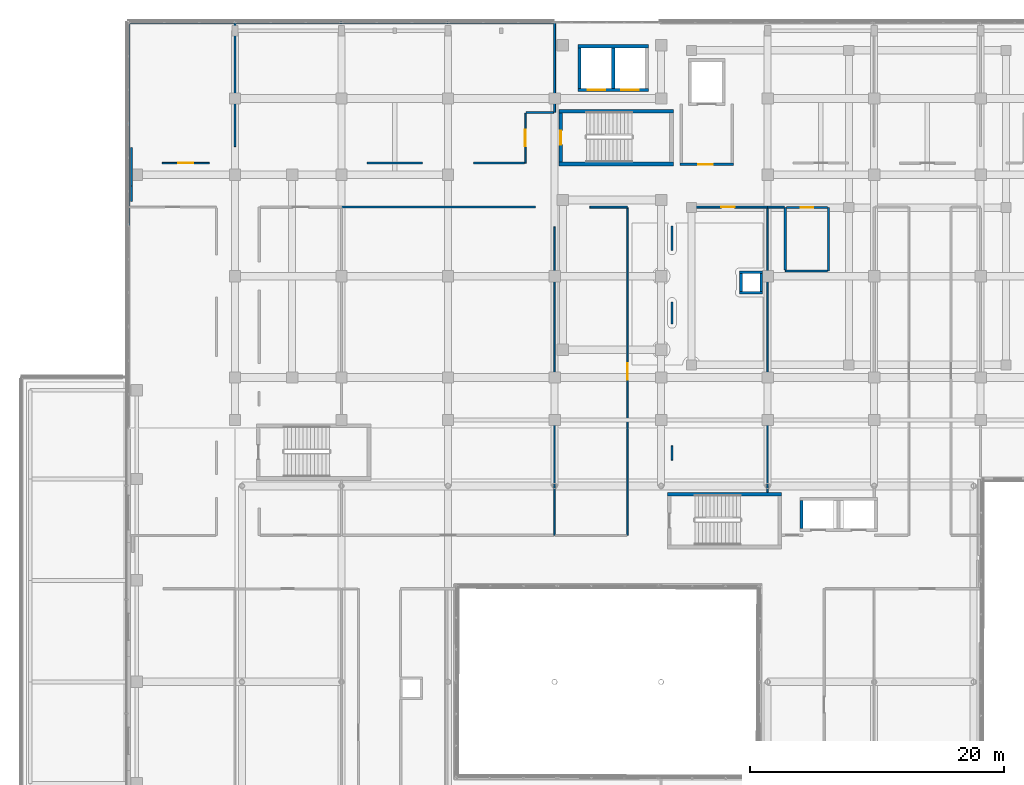
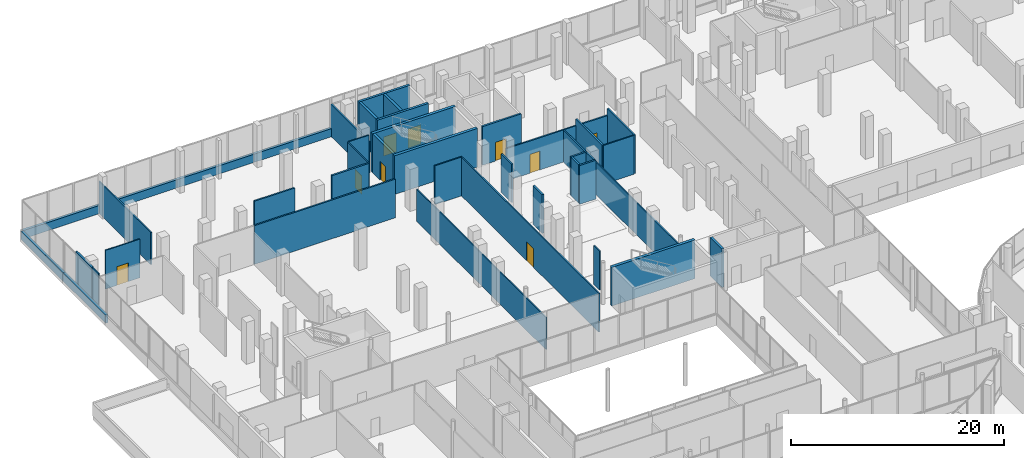
# One storey, part 145 of 168: 43 walls, 9 doors, 9 openings.
"""IFC4 building model written with IfcOpenShell, lengths in metres."""

from ifc_helpers import new_model, si_unit, direction, frame, frame_2d, origin, place, context, subcontext, project, spatial, rectangle, extrude, material, layer, layer_set, type_object, element, fill, save


model = new_model("IFC4")

# Units and contexts
model_context = context("Model", 3, precision=1e-05, world=origin(), true_north=direction((0.0, 1.0)))
body_context = subcontext(model_context, "Body", "Model", "MODEL_VIEW")
ifc_project = project(units=[si_unit("LENGTHUNIT", "METRE"), si_unit("AREAUNIT", "SQUARE_METRE"), si_unit("VOLUMEUNIT", "CUBIC_METRE"), si_unit("PLANEANGLEUNIT", "RADIAN"), si_unit("MASSUNIT", "GRAM", prefix="KILO")], contexts=[model_context])

# Site, building, storey
site_placement = place(None, origin())
site = spatial("IfcSite", under=ifc_project, at=site_placement, CompositionType="ELEMENT")
building_placement = place(site_placement, origin())
building = spatial("IfcBuilding", under=site, at=building_placement, Name="Selatvlak General Hospital", CompositionType="ELEMENT")
storey_placement = place(building_placement, frame((0.0, 0.0, 5.39990234375)))
storey = spatial("IfcBuildingStorey", under=building, at=storey_placement, Name="L01", CompositionType="ELEMENT", Elevation=5.39990234375)

# Walls
ifc_material_1 = material(Name="Precast concrete C40/50 - white Bauhaus spandrel", Category="concrete")
ifc_layer_1 = layer(ifc_material_1, 0.280029296875, Name="Precast concrete C40/50 - white Bauhaus spandrel", Category="concrete")
ifc_layer_set_1 = layer_set([ifc_layer_1], Name="Precast concrete C40/50 - white Bauhaus spandrel")
wall_type_1 = type_object("IfcWallType", Name="WALL-EW-02", PredefinedType="SOLIDWALL", material=ifc_layer_set_1)
wall_1_placement = place(storey_placement, frame((14.39990234375, 104.0009765625, 0.0), z_axis=(0.0, 0.0, 1.0), x_axis=(0.0, 1.0, 0.0)))
element("IfcWall", 1, at=wall_1_placement, inside=storey, type_object=wall_type_1, Name="L01 Bauhaus spandrel sill wall 0204", PredefinedType="SOLIDWALL", context=body_context, shape_type="SweptSolid", body=[
    extrude(rectangle(XDim=7.99609375, YDim=0.280029296875, at=frame_2d((3.998046875, 0.0))), origin(), (0.0, 0.0, 1.0), 0.940185546875),
])
wall_2_placement = place(storey_placement, frame((14.39990234375, 112.0009765625, 0.0), z_axis=(0.0, 0.0, 1.0), x_axis=(0.0, 1.0, 0.0)))
element("IfcWall", 2, at=wall_2_placement, inside=storey, type_object=wall_type_1, Name="L01 Bauhaus spandrel sill wall 0205", PredefinedType="SOLIDWALL", context=body_context, shape_type="SweptSolid", body=[
    extrude(rectangle(XDim=7.85791015625, YDim=0.280029296875, at=frame_2d((3.928955078125, 0.0))), origin(), (0.0, 0.0, 1.0), 0.940185546875),
])
wall_3_placement = place(storey_placement, frame((14.5400390625, 119.9990234375, 0.0), z_axis=(0.0, 0.0, 1.0), x_axis=(1.0, 0.0, 0.0)))
element("IfcWall", 3, at=wall_3_placement, inside=storey, type_object=wall_type_1, Name="L01 Bauhaus spandrel sill wall 0206", PredefinedType="SOLIDWALL", context=body_context, shape_type="SweptSolid", body=[
    extrude(rectangle(XDim=8.238037109375, YDim=0.280029296875, at=frame_2d((4.119140625, 0.0))), origin(), (0.0, 0.0, 1.0), 0.940185546875),
])
for number, where, z_axis, x_axis, name in (
    (4, (22.781982421875, 119.9990234375, 0.0), (0.0, 0.0, 1.0), (1.0, 0.0, 0.0), "L01 Bauhaus spandrel sill wall 0207"),
    (5, (31.162109375, 119.9990234375, 0.0), (0.0, 0.0, 1.0), (1.0, 0.0, 0.0), "L01 Bauhaus spandrel sill wall 0208"),
    (6, (39.5419921875, 119.9990234375, 0.0), (0.0, 0.0, 1.0), (1.0, 0.0, 0.0), "L01 Bauhaus spandrel sill wall 0209"),
):
    element("IfcWall", number, at=place(storey_placement, frame(where, z_axis=z_axis, x_axis=x_axis)), inside=storey, type_object=wall_type_1, Name=name, PredefinedType="SOLIDWALL", context=body_context, shape_type="SweptSolid", body=[
        extrude(rectangle(XDim=8.3759765625, YDim=0.280029296875, at=frame_2d((4.18798828125, 0.0))), origin(), (0.0, 0.0, 1.0), 0.940185546875),
    ])

# Wall, opening, door
ifc_material_2 = material(Name="Concrete C40/50", Category="concrete")
ifc_layer_2 = layer(ifc_material_2, 0.199951171875, Name="Concrete C40/50", Category="concrete")
ifc_layer_set_2 = layer_set([ifc_layer_2], Name="Concrete C40/50")
wall_type_2 = type_object("IfcWallType", Name="WALL-IW-02", PredefinedType="SOLIDWALL", material=ifc_layer_set_2)
wall_4_placement = place(storey_placement, frame((57.89990234375, 108.800048828125, 0.0), z_axis=(0.0, 0.0, 1.0), x_axis=(1.0, 0.0, 0.0)))
wall_4 = element("IfcWall", 7, at=wall_4_placement, inside=storey, type_object=wall_type_2, Name="Firefighting lobby C1 wall L01 S", PredefinedType="SOLIDWALL", context=body_context, shape_type="SweptSolid", body=[
    extrude(rectangle(XDim=4.2001953125, YDim=0.199951171875, at=frame_2d((2.10009765625, 0.0))), origin(), (0.0, 0.0, 1.0), 4.445068359375),
])
opening_1_placement = place(wall_4_placement, frame((1.425048828125, 0.0, 0.0)))
opening_1 = element("IfcOpeningElement", 8, at=opening_1_placement, cuts=wall_4, Name="Opening D-06", PredefinedType="OPENING", context=body_context, shape_type="SweptSolid", body=[
    extrude(rectangle(XDim=1.14990234375, YDim=2.14990234375, at=frame_2d((0.574951171875, 1.074951171875))), frame((0.0, 0.10986328125, 0.0), z_axis=(0.0, -1.0, 0.0), x_axis=(1.0, 0.0, 0.0)), (0.0, 0.0, 1.0), 0.219970703125),
])
ifc_material_3 = material(Name="Firefighting lobby fire door")
door_type_1 = type_object("IfcDoorType", Name="DOOR-D-06", OperationType="NOTDEFINED", PredefinedType="DOOR", material=ifc_material_3)
door_1_placement = place(opening_1_placement, origin())
door_1 = element("IfcDoor", 9, at=door_1_placement, inside=storey, type_object=door_type_1, Name="Firefighting lobby C1 door on L01", OperationType="SINGLE_SWING_RIGHT", OverallHeight=2.14990234375, OverallWidth=1.14990234375, PredefinedType="DOOR", context=body_context, shape_type="SweptSolid", body=[
    extrude(rectangle(XDim=1.14990234375, YDim=2.14990234375, at=frame_2d((0.574951171875, 1.074951171875))), frame((0.0, 0.02490234375, 0.0), z_axis=(0.0, -1.0, 0.0), x_axis=(1.0, 0.0, 0.0)), (0.0, 0.0, 1.0), 0.050048828125),
])
fill(opening_1, door_1)

# Walls
wall_5_placement = place(storey_placement, frame((62.60009765625, 98.699951171875, 0.0), z_axis=(0.0, 0.0, 1.0), x_axis=(1.0, 0.0, 0.0)))
element("IfcWall", 10, at=wall_5_placement, inside=storey, type_object=wall_type_2, Name="Service riser 1 shaft wall L01 S", PredefinedType="SOLIDWALL", context=body_context, shape_type="SweptSolid", body=[
    extrude(rectangle(XDim=1.7998046875, YDim=0.199951171875, at=frame_2d((0.89990234375, 0.0))), origin(), (0.0, 0.0, 1.0), 4.445068359375),
])
wall_6_placement = place(storey_placement, frame((64.300048828125, 98.800048828125, 0.0), z_axis=(0.0, 0.0, 1.0), x_axis=(0.0, 1.0, 0.0)))
element("IfcWall", 11, at=wall_6_placement, inside=storey, type_object=wall_type_2, Name="Service riser 1 shaft wall L01 E", PredefinedType="SOLIDWALL", context=body_context, shape_type="SweptSolid", body=[
    extrude(rectangle(XDim=1.39990234375, YDim=0.199951171875, at=frame_2d((0.699951171875, 0.0))), origin(), (0.0, 0.0, 1.0), 4.445068359375),
])
wall_7_placement = place(storey_placement, frame((64.39990234375, 100.300048828125, 0.0), z_axis=(0.0, 0.0, 1.0), x_axis=(-1.0, 0.0, 0.0)))
element("IfcWall", 12, at=wall_7_placement, inside=storey, type_object=wall_type_2, Name="Service riser 1 shaft wall L01 N", PredefinedType="SOLIDWALL", context=body_context, shape_type="SweptSolid", body=[
    extrude(rectangle(XDim=1.7998046875, YDim=0.199951171875, at=frame_2d((0.89990234375, 0.0))), origin(), (0.0, 0.0, 1.0), 4.445068359375),
])
wall_8_placement = place(storey_placement, frame((62.699951171875, 100.199951171875, 0.0), z_axis=(0.0, 0.0, 1.0), x_axis=(0.0, -1.0, 0.0)))
element("IfcWall", 13, at=wall_8_placement, inside=storey, type_object=wall_type_2, Name="Service riser 1 shaft wall L01 W", PredefinedType="SOLIDWALL", context=body_context, shape_type="SweptSolid", body=[
    extrude(rectangle(XDim=1.39990234375, YDim=0.199951171875, at=frame_2d((0.699951171875, 0.0))), origin(), (0.0, 0.0, 1.0), 4.445068359375),
])
ifc_material_4 = material(Name="Acoustic gypsum stud partition")
ifc_layer_3 = layer(ifc_material_4, 0.179931640625, Name="Acoustic gypsum stud partition")
ifc_layer_set_3 = layer_set([ifc_layer_3], Name="Acoustic gypsum stud partition")
wall_type_3 = type_object("IfcWallType", Name="WALL-PT-01", PredefinedType="PARTITIONING", material=ifc_layer_set_3)
wall_9_placement = place(storey_placement, frame((66.199951171875, 100.464111328125, 0.0), z_axis=(0.0, 0.0, 1.0), x_axis=(0.0, 1.0, 0.0)))
element("IfcWall", 14, at=wall_9_placement, inside=storey, type_object=wall_type_3, Name="L01 clinical partition PT-L01-0696", PredefinedType="PARTITIONING", context=body_context, shape_type="SweptSolid", body=[
    extrude(rectangle(XDim=4.955810546875, YDim=0.179931640625, at=frame_2d((2.47802734375, 0.0))), origin(), (0.0, 0.0, 1.0), 4.445068359375),
])
wall_10_placement = place(storey_placement, frame((57.260009765625, 96.235107421875, 0.0), z_axis=(0.0, 0.0, 1.0), x_axis=(0.0, 1.0, 0.0)))
element("IfcWall", 15, at=wall_10_placement, inside=storey, type_object=wall_type_3, Name="L01 clinical partition PT-L01-0935", PredefinedType="PARTITIONING", context=body_context, shape_type="SweptSolid", body=[
    extrude(rectangle(XDim=1.72998046875, YDim=0.179931640625, at=frame_2d((0.864990234375, 0.0))), origin(), (0.0, 0.0, 1.0), 4.445068359375),
])
wall_11_placement = place(storey_placement, frame((14.639892578125, 110.118896484375, 0.0), z_axis=(0.0, 0.0, 1.0), x_axis=(0.0, -1.0, 0.0)))
element("IfcWall", 16, at=wall_11_placement, inside=storey, type_object=wall_type_3, Name="L01 clinical partition PT-L01-0995", PredefinedType="PARTITIONING", context=body_context, shape_type="SweptSolid", body=[
    extrude(rectangle(XDim=3.018798828125, YDim=0.179931640625, at=frame_2d((1.50927734375, 0.0))), origin(), (0.0, 0.0, 1.0), 4.445068359375),
])
wall_12_placement = place(storey_placement, frame((45.634033203125, 108.909912109375, 0.0), z_axis=(0.0, 0.0, 1.0), x_axis=(-1.0, 0.0, 0.0)))
element("IfcWall", 17, at=wall_12_placement, inside=storey, type_object=wall_type_3, Name="L01 clinical partition PT-L01-1000", PredefinedType="PARTITIONING", context=body_context, shape_type="SweptSolid", body=[
    extrude(rectangle(XDim=4.02294921875, YDim=0.179931640625, at=frame_2d((2.011474609375, 0.0))), origin(), (0.0, 0.0, 1.0), 4.445068359375),
])
ifc_layer_4 = layer(ifc_material_4, 0.1650390625, Name="Acoustic gypsum stud partition")
ifc_layer_set_4 = layer_set([ifc_layer_4], Name="Acoustic gypsum stud partition")
wall_type_4 = type_object("IfcWallType", Name="WALL-PT-02", PredefinedType="PARTITIONING", material=ifc_layer_set_4)
wall_13_placement = place(storey_placement, frame((69.60009765625, 105.419921875, 0.0), z_axis=(0.0, 0.0, 1.0), x_axis=(0.0, -1.0, 0.0)))
element("IfcWall", 18, at=wall_13_placement, inside=storey, type_object=wall_type_4, Name="L01 clinical partition PT-L01-0694", PredefinedType="PARTITIONING", context=body_context, shape_type="SweptSolid", body=[
    extrude(rectangle(XDim=5.02001953125, YDim=0.1650390625, at=frame_2d((2.510009765625, 0.0))), origin(), (0.0, 0.0, 1.0), 4.445068359375),
])

# Wall, opening, door
wall_14_placement = place(storey_placement, frame((66.285888671875, 105.419921875, 0.0), z_axis=(0.0, 0.0, 1.0), x_axis=(1.0, 0.0, 0.0)))
wall_14 = element("IfcWall", 19, at=wall_14_placement, inside=storey, type_object=wall_type_4, Name="L01 clinical partition PT-L01-0697", PredefinedType="PARTITIONING", context=body_context, shape_type="SweptSolid", body=[
    extrude(rectangle(XDim=3.235107421875, YDim=0.1650390625, at=frame_2d((1.61767578125, 0.0))), origin(), (0.0, 0.0, 1.0), 3.695068359375),
])
opening_2_placement = place(wall_14_placement, frame((1.116943359375, 0.0, 0.0)))
opening_2 = element("IfcOpeningElement", 20, at=opening_2_placement, cuts=wall_14, Name="Opening D-03", PredefinedType="OPENING", context=body_context, shape_type="SweptSolid", body=[
    extrude(rectangle(XDim=1.0, YDim=2.10009765625, at=frame_2d((0.5, 1.050048828125))), frame((0.0, 0.092529296875, 0.0), z_axis=(0.0, -1.0, 0.0), x_axis=(1.0, 0.0, 0.0)), (0.0, 0.0, 1.0), 0.18505859375),
])
ifc_material_5 = material(Name="Accessible WC door")
door_type_2 = type_object("IfcDoorType", Name="DOOR-D-03", OperationType="NOTDEFINED", PredefinedType="DOOR", material=ifc_material_5)
door_2_placement = place(opening_2_placement, origin())
door_2 = element("IfcDoor", 21, at=door_2_placement, inside=storey, type_object=door_type_2, Name="L01 Accessible WC door", OperationType="SINGLE_SWING_LEFT", OverallHeight=2.10009765625, OverallWidth=1.0, PredefinedType="DOOR", context=body_context, shape_type="SweptSolid", body=[
    extrude(rectangle(XDim=1.0, YDim=2.10009765625, at=frame_2d((0.5, 1.050048828125))), frame((0.0, 0.02490234375, 0.0), z_axis=(0.0, -1.0, 0.0), x_axis=(1.0, 0.0, 0.0)), (0.0, 0.0, 1.0), 0.050048828125),
])
fill(opening_2, door_2)

# Walls
wall_15_placement = place(storey_placement, frame((31.199951171875, 105.43994140625, 0.0), z_axis=(0.0, 0.0, 1.0), x_axis=(1.0, 0.0, 0.0)))
element("IfcWall", 22, at=wall_15_placement, inside=storey, type_object=wall_type_4, Name="L01 clinical partition PT-L01-0931", PredefinedType="PARTITIONING", context=body_context, shape_type="SweptSolid", body=[
    extrude(rectangle(XDim=15.31494140625, YDim=0.1650390625, at=frame_2d((7.657470703125, 0.0))), origin(), (0.0, 0.0, 1.0), 4.445068359375),
])
wall_16_placement = place(storey_placement, frame((57.260009765625, 102.034912109375, 0.0), z_axis=(0.0, 0.0, 1.0), x_axis=(0.0, 1.0, 0.0)))
element("IfcWall", 23, at=wall_16_placement, inside=storey, type_object=wall_type_4, Name="L01 clinical partition PT-L01-0936", PredefinedType="PARTITIONING", context=body_context, shape_type="SweptSolid", body=[
    extrude(rectangle(XDim=1.93017578125, YDim=0.1650390625, at=frame_2d((0.965087890625, 0.0))), origin(), (0.0, 0.0, 1.0), 4.445068359375),
])
wall_17_placement = place(storey_placement, frame((37.589111328125, 108.909912109375, 0.0), z_axis=(0.0, 0.0, 1.0), x_axis=(-1.0, 0.0, 0.0)))
element("IfcWall", 24, at=wall_17_placement, inside=storey, type_object=wall_type_4, Name="L01 clinical partition PT-L01-1001", PredefinedType="PARTITIONING", context=body_context, shape_type="SweptSolid", body=[
    extrude(rectangle(XDim=4.378173828125, YDim=0.1650390625, at=frame_2d((2.18896484375, 0.0))), origin(), (0.0, 0.0, 1.0), 4.445068359375),
])
ifc_layer_5 = layer(ifc_material_4, 0.14990234375, Name="Acoustic gypsum stud partition")
ifc_layer_set_5 = layer_set([ifc_layer_5], Name="Acoustic gypsum stud partition")
wall_type_5 = type_object("IfcWallType", Name="WALL-PT-03", PredefinedType="PARTITIONING", material=ifc_layer_set_5)
wall_18_placement = place(storey_placement, frame((50.784912109375, 105.43994140625, 0.0), z_axis=(0.0, 0.0, 1.0), x_axis=(1.0, 0.0, 0.0)))
element("IfcWall", 25, at=wall_18_placement, inside=storey, type_object=wall_type_5, Name="L01 clinical partition PT-L01-0932", PredefinedType="PARTITIONING", context=body_context, shape_type="SweptSolid", body=[
    extrude(rectangle(XDim=2.955078125, YDim=0.14990234375, at=frame_2d((1.4775390625, 0.0))), origin(), (0.0, 0.0, 1.0), 4.445068359375),
])

# Wall, opening, door
wall_19_placement = place(storey_placement, frame((58.534912109375, 105.43994140625, 0.0), z_axis=(0.0, 0.0, 1.0), x_axis=(1.0, 0.0, 0.0)))
wall_19 = element("IfcWall", 26, at=wall_19_placement, inside=storey, type_object=wall_type_5, Name="L01 clinical partition PT-L01-0937", PredefinedType="PARTITIONING", context=body_context, shape_type="SweptSolid", body=[
    extrude(rectangle(XDim=6.26513671875, YDim=0.14990234375, at=frame_2d((3.132568359375, 0.0))), origin(), (0.0, 0.0, 1.0), 3.695068359375),
])
opening_3_placement = place(wall_19_placement, frame((2.60791015625, 0.0, 0.0)))
opening_3 = element("IfcOpeningElement", 27, at=opening_3_placement, cuts=wall_19, Name="Opening D-04", PredefinedType="OPENING", context=body_context, shape_type="SweptSolid", body=[
    extrude(rectangle(XDim=1.050048828125, YDim=2.14990234375, at=frame_2d((0.52490234375, 1.074951171875))), frame((0.0, 0.0849609375, 0.0), z_axis=(0.0, -1.0, 0.0), x_axis=(1.0, 0.0, 0.0)), (0.0, 0.0, 1.0), 0.169921875),
])
ifc_material_6 = material(Name="Consultation room door")
door_type_3 = type_object("IfcDoorType", Name="DOOR-D-04", OperationType="NOTDEFINED", PredefinedType="DOOR", material=ifc_material_6)
door_3_placement = place(opening_3_placement, origin())
door_3 = element("IfcDoor", 28, at=door_3_placement, inside=storey, type_object=door_type_3, Name="L01 Outpatient Specialist Waiting Concourse 47 door", OperationType="SINGLE_SWING_LEFT", OverallHeight=2.14990234375, OverallWidth=1.050048828125, PredefinedType="DOOR", context=body_context, shape_type="SweptSolid", body=[
    extrude(rectangle(XDim=1.050048828125, YDim=2.14990234375, at=frame_2d((0.52490234375, 1.074951171875))), frame((0.0, 0.02490234375, 0.0), z_axis=(0.0, -1.0, 0.0), x_axis=(1.0, 0.0, 0.0)), (0.0, 0.0, 1.0), 0.050048828125),
])
fill(opening_3, door_3)

# Walls
wall_20_placement = place(storey_placement, frame((64.800048828125, 105.43994140625, 0.0), z_axis=(0.0, 0.0, 1.0), x_axis=(1.0, 0.0, 0.0)))
element("IfcWall", 29, at=wall_20_placement, inside=storey, type_object=wall_type_5, Name="L01 clinical partition PT-L01-0942", PredefinedType="PARTITIONING", context=body_context, shape_type="SweptSolid", body=[
    extrude(rectangle(XDim=1.320068359375, YDim=0.14990234375, at=frame_2d((0.66015625, 0.0))), origin(), (0.0, 0.0, 1.0), 3.695068359375),
])
wall_21_placement = place(storey_placement, frame((48.0, 119.988037109375, 0.0), z_axis=(0.0, 0.0, 1.0), x_axis=(0.0, -1.0, 0.0)))
element("IfcWall", 30, at=wall_21_placement, inside=storey, type_object=wall_type_5, Name="L01 clinical partition PT-L01-0997", PredefinedType="PARTITIONING", context=body_context, shape_type="SweptSolid", body=[
    extrude(rectangle(XDim=7.088134765625, YDim=0.14990234375, at=frame_2d((3.5439453125, 0.0))), origin(), (0.0, 0.0, 1.0), 3.695068359375),
])
ifc_material_7 = material(Name="Moisture-resistant clinical partition")
ifc_layer_6 = layer(ifc_material_7, 0.135009765625, Name="Moisture-resistant clinical partition")
ifc_layer_set_6 = layer_set([ifc_layer_6], Name="Moisture-resistant clinical partition")
wall_type_6 = type_object("IfcWallType", Name="WALL-PT-04", PredefinedType="PARTITIONING", material=ifc_layer_set_6)
wall_22_placement = place(storey_placement, frame((69.52099609375, 100.39990234375, 0.0), z_axis=(0.0, 0.0, 1.0), x_axis=(-1.0, 0.0, 0.0)))
element("IfcWall", 31, at=wall_22_placement, inside=storey, type_object=wall_type_6, Name="L01 clinical partition PT-L01-0695", PredefinedType="PARTITIONING", context=body_context, shape_type="SweptSolid", body=[
    extrude(rectangle(XDim=3.321044921875, YDim=0.135009765625, at=frame_2d((1.66064453125, 0.0))), origin(), (0.0, 0.0, 1.0), 4.445068359375),
])
wall_23_placement = place(storey_placement, frame((14.639892578125, 107.10009765625, 0.0), z_axis=(0.0, 0.0, 1.0), x_axis=(0.0, -1.0, 0.0)))
element("IfcWall", 32, at=wall_23_placement, inside=storey, type_object=wall_type_6, Name="L01 clinical partition PT-L01-0913", PredefinedType="PARTITIONING", context=body_context, shape_type="SweptSolid", body=[
    extrude(rectangle(XDim=1.218994140625, YDim=0.135009765625, at=frame_2d((0.609375, 0.0))), origin(), (0.0, 0.0, 1.0), 4.445068359375),
])

# Wall, opening, door
wall_24_placement = place(storey_placement, frame((53.739990234375, 105.368896484375, 0.0), z_axis=(0.0, 0.0, 1.0), x_axis=(0.0, -1.0, 0.0)))
wall_24 = element("IfcWall", 33, at=wall_24_placement, inside=storey, type_object=wall_type_6, Name="L01 clinical partition PT-L01-0933", PredefinedType="PARTITIONING", context=body_context, shape_type="SweptSolid", body=[
    extrude(rectangle(XDim=25.808837890625, YDim=0.135009765625, at=frame_2d((12.904296875, 0.0))), origin(), (0.0, 0.0, 1.0), 4.445068359375),
])
opening_4_placement = place(wall_24_placement, frame((12.25390625, 0.0, 0.0)))
opening_4 = element("IfcOpeningElement", 34, at=opening_4_placement, cuts=wall_24, Name="Opening D-09", PredefinedType="OPENING", context=body_context, shape_type="SweptSolid", body=[
    extrude(rectangle(XDim=1.300048828125, YDim=2.14990234375, at=frame_2d((0.64990234375, 1.074951171875))), frame((0.0, 0.077392578125, 0.0), z_axis=(0.0, -1.0, 0.0), x_axis=(1.0, 0.0, 0.0)), (0.0, 0.0, 1.0), 0.155029296875),
])
ifc_material_8 = material(Name="Outpatient procedure door")
door_type_4 = type_object("IfcDoorType", Name="DOOR-D-09", OperationType="NOTDEFINED", PredefinedType="DOOR", material=ifc_material_8)
door_4_placement = place(opening_4_placement, origin())
door_4 = element("IfcDoor", 35, at=door_4_placement, inside=storey, type_object=door_type_4, Name="L01 Outpatient Specialist Waiting Concourse 46 door", OperationType="SINGLE_SWING_RIGHT", OverallHeight=2.14990234375, OverallWidth=1.300048828125, PredefinedType="DOOR", context=body_context, shape_type="SweptSolid", body=[
    extrude(rectangle(XDim=1.300048828125, YDim=2.14990234375, at=frame_2d((0.64990234375, 1.074951171875))), frame((0.0, 0.02490234375, 0.0), z_axis=(0.0, -1.0, 0.0), x_axis=(1.0, 0.0, 0.0)), (0.0, 0.0, 1.0), 0.050048828125),
])
fill(opening_4, door_4)

# Walls
wall_25_placement = place(storey_placement, frame((64.800048828125, 105.368896484375, 0.0), z_axis=(0.0, 0.0, 1.0), x_axis=(0.0, -1.0, 0.0)))
element("IfcWall", 36, at=wall_25_placement, inside=storey, type_object=wall_type_6, Name="L01 clinical partition PT-L01-0938", PredefinedType="PARTITIONING", context=body_context, shape_type="SweptSolid", body=[
    extrude(rectangle(XDim=22.421875, YDim=0.135009765625, at=frame_2d((11.2109375, 0.0))), origin(), (0.0, 0.0, 1.0), 3.695068359375),
])
wall_26_placement = place(storey_placement, frame((22.800048828125, 119.95703125, 0.0), z_axis=(0.0, 0.0, 1.0), x_axis=(0.0, -1.0, 0.0)))
element("IfcWall", 37, at=wall_26_placement, inside=storey, type_object=wall_type_6, Name="L01 clinical partition PT-L01-0993", PredefinedType="PARTITIONING", context=body_context, shape_type="SweptSolid", body=[
    extrude(rectangle(XDim=9.7470703125, YDim=0.135009765625, at=frame_2d((4.87353515625, 0.0))), origin(), (0.0, 0.0, 1.0), 3.695068359375),
])
wall_27_placement = place(storey_placement, frame((47.928955078125, 112.89990234375, 0.0), z_axis=(0.0, 0.0, 1.0), x_axis=(-1.0, 0.0, 0.0)))
element("IfcWall", 38, at=wall_27_placement, inside=storey, type_object=wall_type_6, Name="L01 clinical partition PT-L01-0998", PredefinedType="PARTITIONING", context=body_context, shape_type="SweptSolid", body=[
    extrude(rectangle(XDim=2.178955078125, YDim=0.135009765625, at=frame_2d((1.08935546875, 0.0))), origin(), (0.0, 0.0, 1.0), 4.445068359375),
])
ifc_layer_7 = layer(ifc_material_7, 0.1201171875, Name="Moisture-resistant clinical partition")
ifc_layer_set_7 = layer_set([ifc_layer_7], Name="Moisture-resistant clinical partition")
wall_type_7 = type_object("IfcWallType", Name="WALL-PT-05", PredefinedType="PARTITIONING", material=ifc_layer_set_7)
wall_28_placement = place(storey_placement, frame((48.0, 103.887939453125, 0.0), z_axis=(0.0, 0.0, 1.0), x_axis=(0.0, -1.0, 0.0)))
element("IfcWall", 39, at=wall_28_placement, inside=storey, type_object=wall_type_7, Name="L01 clinical partition PT-L01-0929", PredefinedType="PARTITIONING", context=body_context, shape_type="SweptSolid", body=[
    extrude(rectangle(XDim=24.327880859375, YDim=0.1201171875, at=frame_2d((12.1640625, 0.0))), origin(), (0.0, 0.0, 1.0), 3.695068359375),
])
wall_29_placement = place(storey_placement, frame((57.260009765625, 85.485107421875, 0.0), z_axis=(0.0, 0.0, 1.0), x_axis=(0.0, 1.0, 0.0)))
element("IfcWall", 40, at=wall_29_placement, inside=storey, type_object=wall_type_7, Name="L01 clinical partition PT-L01-0939", PredefinedType="PARTITIONING", context=body_context, shape_type="SweptSolid", body=[
    extrude(rectangle(XDim=1.1298828125, YDim=0.1201171875, at=frame_2d((0.56494140625, 0.0))), origin(), (0.0, 0.0, 1.0), 4.445068359375),
])

# Wall, opening, door
wall_30_placement = place(storey_placement, frame((20.7890625, 108.909912109375, 0.0), z_axis=(0.0, 0.0, 1.0), x_axis=(-1.0, 0.0, 0.0)))
wall_30 = element("IfcWall", 41, at=wall_30_placement, inside=storey, type_object=wall_type_7, Name="L01 clinical partition PT-L01-0994", PredefinedType="PARTITIONING", context=body_context, shape_type="SweptSolid", body=[
    extrude(rectangle(XDim=3.72802734375, YDim=0.1201171875, at=frame_2d((1.864013671875, 0.0))), origin(), (0.0, 0.0, 1.0), 4.445068359375),
])
opening_5_placement = place(wall_30_placement, frame((1.263916015625, 0.0, 0.0)))
opening_5 = element("IfcOpeningElement", 42, at=opening_5_placement, cuts=wall_30, Name="Opening D-23", PredefinedType="OPENING", context=body_context, shape_type="SweptSolid", body=[
    extrude(rectangle(XDim=1.199951171875, YDim=2.14990234375, at=frame_2d((0.60009765625, 1.074951171875))), frame((0.0, 0.070068359375, 0.0), z_axis=(0.0, -1.0, 0.0), x_axis=(1.0, 0.0, 0.0)), (0.0, 0.0, 1.0), 0.14013671875),
])
ifc_material_9 = material(Name="Endoscopy clinical door")
door_type_5 = type_object("IfcDoorType", Name="DOOR-D-23", OperationType="NOTDEFINED", PredefinedType="DOOR", material=ifc_material_9)
door_5_placement = place(opening_5_placement, origin())
door_5 = element("IfcDoor", 43, at=door_5_placement, inside=storey, type_object=door_type_5, Name="L01 Adult Intensive Care Unit Bay 64 door", OperationType="SINGLE_SWING_RIGHT", OverallHeight=2.14990234375, OverallWidth=1.199951171875, PredefinedType="DOOR", context=body_context, shape_type="SweptSolid", body=[
    extrude(rectangle(XDim=1.199951171875, YDim=2.14990234375, at=frame_2d((0.60009765625, 1.074951171875))), frame((0.0, 0.02490234375, 0.0), z_axis=(0.0, -1.0, 0.0), x_axis=(1.0, 0.0, 0.0)), (0.0, 0.0, 1.0), 0.050048828125),
])
fill(opening_5, door_5)

wall_31_placement = place(storey_placement, frame((45.68994140625, 112.840087890625, 0.0), z_axis=(0.0, 0.0, 1.0), x_axis=(0.0, -1.0, 0.0)))
wall_31 = element("IfcWall", 44, at=wall_31_placement, inside=storey, type_object=wall_type_7, Name="L01 clinical partition PT-L01-0999", PredefinedType="PARTITIONING", context=body_context, shape_type="SweptSolid", body=[
    extrude(rectangle(XDim=3.93017578125, YDim=0.1201171875, at=frame_2d((1.965087890625, 0.0))), origin(), (0.0, 0.0, 1.0), 4.445068359375),
])
opening_6_placement = place(wall_31_placement, frame((1.31494140625, 0.0, 0.0)))
opening_6 = element("IfcOpeningElement", 45, at=opening_6_placement, cuts=wall_31, Name="Opening D-24", PredefinedType="OPENING", context=body_context, shape_type="SweptSolid", body=[
    extrude(rectangle(XDim=1.300048828125, YDim=2.14990234375, at=frame_2d((0.64990234375, 1.074951171875))), frame((0.0, 0.070068359375, 0.0), z_axis=(0.0, -1.0, 0.0), x_axis=(1.0, 0.0, 0.0)), (0.0, 0.0, 1.0), 0.14013671875),
])
ifc_material_10 = material(Name="Oncology bay door")
door_type_6 = type_object("IfcDoorType", Name="DOOR-D-24", OperationType="NOTDEFINED", PredefinedType="DOOR", material=ifc_material_10)
door_6_placement = place(opening_6_placement, origin())
door_6 = element("IfcDoor", 46, at=door_6_placement, inside=storey, type_object=door_type_6, Name="L01 High Dependency Critical Care Bay 66 door", OperationType="SINGLE_SWING_LEFT", OverallHeight=2.14990234375, OverallWidth=1.300048828125, PredefinedType="DOOR", context=body_context, shape_type="SweptSolid", body=[
    extrude(rectangle(XDim=1.300048828125, YDim=2.14990234375, at=frame_2d((0.64990234375, 1.074951171875))), frame((0.0, 0.02490234375, 0.0), z_axis=(0.0, -1.0, 0.0), x_axis=(1.0, 0.0, 0.0)), (0.0, 0.0, 1.0), 0.050048828125),
])
fill(opening_6, door_6)

# Walls
ifc_material_11 = material(Name="Concrete C45/55", Category="concrete")
ifc_layer_8 = layer(ifc_material_11, 0.300048828125, Name="Concrete C45/55", Category="concrete")
ifc_layer_set_8 = layer_set([ifc_layer_8], Name="Concrete C45/55")
wall_type_8 = type_object("IfcWallType", Name="WALL-SW-02", PredefinedType="SHEAR", material=ifc_layer_set_8)
for number, where, z_axis, x_axis, name in (
    (47, (48.340087890625, 108.840087890625, 0.0), (0.0, 0.0, 1.0), (1.0, 0.0, 0.0), "ST-01 core shear wall L01 S"),
    (48, (57.360107421875, 113.0, 0.0), (0.0, 0.0, 1.0), (-1.0, 0.0, 0.0), "ST-01 core shear wall L01 N"),
):
    element("IfcWall", number, at=place(storey_placement, frame(where, z_axis=z_axis, x_axis=x_axis)), inside=storey, type_object=wall_type_8, Name=name, PredefinedType="SHEAR", context=body_context, shape_type="SweptSolid", body=[
        extrude(rectangle(XDim=9.02001953125, YDim=0.300048828125, at=frame_2d((4.510009765625, 0.0))), origin(), (0.0, 0.0, 1.0), 4.445068359375),
    ])

# Wall, opening, door
wall_32_placement = place(storey_placement, frame((48.489990234375, 112.85009765625, 0.0), z_axis=(0.0, 0.0, 1.0), x_axis=(0.0, -1.0, 0.0)))
wall_32 = element("IfcWall", 49, at=wall_32_placement, inside=storey, type_object=wall_type_8, Name="ST-01 core shear wall L01 W", PredefinedType="SHEAR", context=body_context, shape_type="SweptSolid", body=[
    extrude(rectangle(XDim=3.860107421875, YDim=0.300048828125, at=frame_2d((1.93017578125, 0.0))), origin(), (0.0, 0.0, 1.0), 4.445068359375),
])
opening_7_placement = place(wall_32_placement, frame((1.3798828125, 0.0, 0.0)))
opening_7 = element("IfcOpeningElement", 50, at=opening_7_placement, cuts=wall_32, Name="Opening D-05", PredefinedType="OPENING", context=body_context, shape_type="SweptSolid", body=[
    extrude(rectangle(XDim=1.10009765625, YDim=2.14990234375, at=frame_2d((0.550048828125, 1.074951171875))), frame((0.0, 0.159912109375, 0.0), z_axis=(0.0, -1.0, 0.0), x_axis=(1.0, 0.0, 0.0)), (0.0, 0.0, 1.0), 0.320068359375),
])
ifc_material_12 = material(Name="Protected stair fire door")
door_type_7 = type_object("IfcDoorType", Name="DOOR-D-05", OperationType="NOTDEFINED", PredefinedType="DOOR", material=ifc_material_12)
door_7_placement = place(opening_7_placement, origin())
door_7 = element("IfcDoor", 51, at=door_7_placement, inside=storey, type_object=door_type_7, Name="ST-01 protected stair door on L01", OperationType="SINGLE_SWING_LEFT", OverallHeight=2.14990234375, OverallWidth=1.10009765625, PredefinedType="DOOR", context=body_context, shape_type="SweptSolid", body=[
    extrude(rectangle(XDim=1.10009765625, YDim=2.14990234375, at=frame_2d((0.550048828125, 1.074951171875))), frame((0.0, 0.02490234375, 0.0), z_axis=(0.0, -1.0, 0.0), x_axis=(1.0, 0.0, 0.0)), (0.0, 0.0, 1.0), 0.050048828125),
])
fill(opening_7, door_7)

# Walls
wall_33_placement = place(storey_placement, frame((65.909912109375, 82.800048828125, 0.0), z_axis=(0.0, 0.0, 1.0), x_axis=(-1.0, 0.0, 0.0)))
element("IfcWall", 52, at=wall_33_placement, inside=storey, type_object=wall_type_8, Name="ST-05 core shear wall L01 N", PredefinedType="SHEAR", context=body_context, shape_type="SweptSolid", body=[
    extrude(rectangle(XDim=9.02001953125, YDim=0.300048828125, at=frame_2d((4.510009765625, 0.0))), origin(), (0.0, 0.0, 1.0), 4.445068359375),
])
ifc_layer_9 = layer(ifc_material_2, 0.25, Name="Concrete C40/50", Category="concrete")
ifc_layer_set_9 = layer_set([ifc_layer_9], Name="Concrete C40/50")
wall_type_9 = type_object("IfcWallType", Name="WALL-SW-03", PredefinedType="SHEAR", material=ifc_layer_set_9)
wall_34_placement = place(storey_placement, frame((67.47509765625, 82.300048828125, 0.0), z_axis=(0.0, 0.0, 1.0), x_axis=(0.0, -1.0, 0.0)))
element("IfcWall", 53, at=wall_34_placement, inside=storey, type_object=wall_type_9, Name="Lift LP-01-LP-02 shaft wall L01 W", PredefinedType="SHEAR", context=body_context, shape_type="SweptSolid", body=[
    extrude(rectangle(XDim=2.199951171875, YDim=0.25, at=frame_2d((1.10009765625, 0.0))), origin(), (0.0, 0.0, 1.0), 4.445068359375),
])

# Wall, openings, doors
wall_35_placement = place(storey_placement, frame((49.85009765625, 114.675048828125, 0.0), z_axis=(0.0, 0.0, 1.0), x_axis=(1.0, 0.0, 0.0)))
wall_35 = element("IfcWall", 54, at=wall_35_placement, inside=storey, type_object=wall_type_9, Name="Lift LB-01-LB-02 shaft wall L01 S", PredefinedType="SHEAR", context=body_context, shape_type="SweptSolid", body=[
    extrude(rectangle(XDim=5.5498046875, YDim=0.25, at=frame_2d((2.77490234375, 0.0))), origin(), (0.0, 0.0, 1.0), 4.445068359375),
])
opening_8_placement = place(wall_35_placement, frame((0.75, 0.0, 0.0)))
opening_8 = element("IfcOpeningElement", 55, at=opening_8_placement, cuts=wall_35, Name="Opening LD-B1", PredefinedType="OPENING", context=body_context, shape_type="SweptSolid", body=[
    extrude(rectangle(XDim=1.39990234375, YDim=2.199951171875, at=frame_2d((0.699951171875, 1.10009765625))), frame((0.0, 0.135009765625, 0.0), z_axis=(0.0, -1.0, 0.0), x_axis=(1.0, 0.0, 0.0)), (0.0, 0.0, 1.0), 0.27001953125),
])
opening_9_placement = place(wall_35_placement, frame((3.39990234375, 0.0, 0.0)))
opening_9 = element("IfcOpeningElement", 56, at=opening_9_placement, cuts=wall_35, Name="Opening LD-B1", PredefinedType="OPENING", context=body_context, shape_type="SweptSolid", body=[
    extrude(rectangle(XDim=1.39990234375, YDim=2.199951171875, at=frame_2d((0.699951171875, 1.10009765625))), frame((0.0, 0.135009765625, 0.0), z_axis=(0.0, -1.0, 0.0), x_axis=(1.0, 0.0, 0.0)), (0.0, 0.0, 1.0), 0.27001953125),
])
ifc_material_13 = material(Name="Stainless steel stretcher lift landing door", Category="steel")
door_type_8 = type_object("IfcDoorType", Name="DOOR-LD-B1", OperationType="DOUBLE_DOOR_SLIDING", PredefinedType="DOOR", material=ifc_material_13)
door_8_placement = place(opening_8_placement, origin())
door_8 = element("IfcDoor", 57, at=door_8_placement, inside=storey, type_object=door_type_8, Name="Lift LB-01 sliding landing door on L01", OperationType="DOUBLE_DOOR_SLIDING", OverallHeight=2.199951171875, OverallWidth=1.39990234375, PredefinedType="DOOR", context=body_context, shape_type="SweptSolid", body=[
    extrude(rectangle(XDim=1.39990234375, YDim=2.199951171875, at=frame_2d((0.699951171875, 1.10009765625))), frame((0.0, 0.02490234375, 0.0), z_axis=(0.0, -1.0, 0.0), x_axis=(1.0, 0.0, 0.0)), (0.0, 0.0, 1.0), 0.050048828125),
])
fill(opening_8, door_8)
door_9_placement = place(opening_9_placement, origin())
door_9 = element("IfcDoor", 58, at=door_9_placement, inside=storey, type_object=door_type_8, Name="Lift LB-02 sliding landing door on L01", OperationType="DOUBLE_DOOR_SLIDING", OverallHeight=2.199951171875, OverallWidth=1.39990234375, PredefinedType="DOOR", context=body_context, shape_type="SweptSolid", body=[
    extrude(rectangle(XDim=1.39990234375, YDim=2.199951171875, at=frame_2d((0.699951171875, 1.10009765625))), frame((0.0, 0.02490234375, 0.0), z_axis=(0.0, -1.0, 0.0), x_axis=(1.0, 0.0, 0.0)), (0.0, 0.0, 1.0), 0.050048828125),
])
fill(opening_9, door_9)

# Walls
wall_36_placement = place(storey_placement, frame((55.39990234375, 118.125, 0.0), z_axis=(0.0, 0.0, 1.0), x_axis=(-1.0, 0.0, 0.0)))
element("IfcWall", 59, at=wall_36_placement, inside=storey, type_object=wall_type_9, Name="Lift LB-01-LB-02 shaft wall L01 N", PredefinedType="SHEAR", context=body_context, shape_type="SweptSolid", body=[
    extrude(rectangle(XDim=5.5498046875, YDim=0.25, at=frame_2d((2.77490234375, 0.0))), origin(), (0.0, 0.0, 1.0), 4.445068359375),
])
for number, where, z_axis, x_axis, name in (
    (60, (49.97509765625, 118.0, 0.0), (0.0, 0.0, 1.0), (0.0, -1.0, 0.0), "Lift LB-01-LB-02 shaft wall L01 W"),
    (61, (52.625, 114.800048828125, 0.0), (0.0, 0.0, 1.0), (0.0, 1.0, 0.0), "Lift LB-01-LB-02 dividing shaft wall L01"),
):
    element("IfcWall", number, at=place(storey_placement, frame(where, z_axis=z_axis, x_axis=x_axis)), inside=storey, type_object=wall_type_9, Name=name, PredefinedType="SHEAR", context=body_context, shape_type="SweptSolid", body=[
        extrude(rectangle(XDim=3.199951171875, YDim=0.25, at=frame_2d((1.60009765625, 0.0))), origin(), (0.0, 0.0, 1.0), 4.445068359375),
    ])

save(model, "model.ifc")
